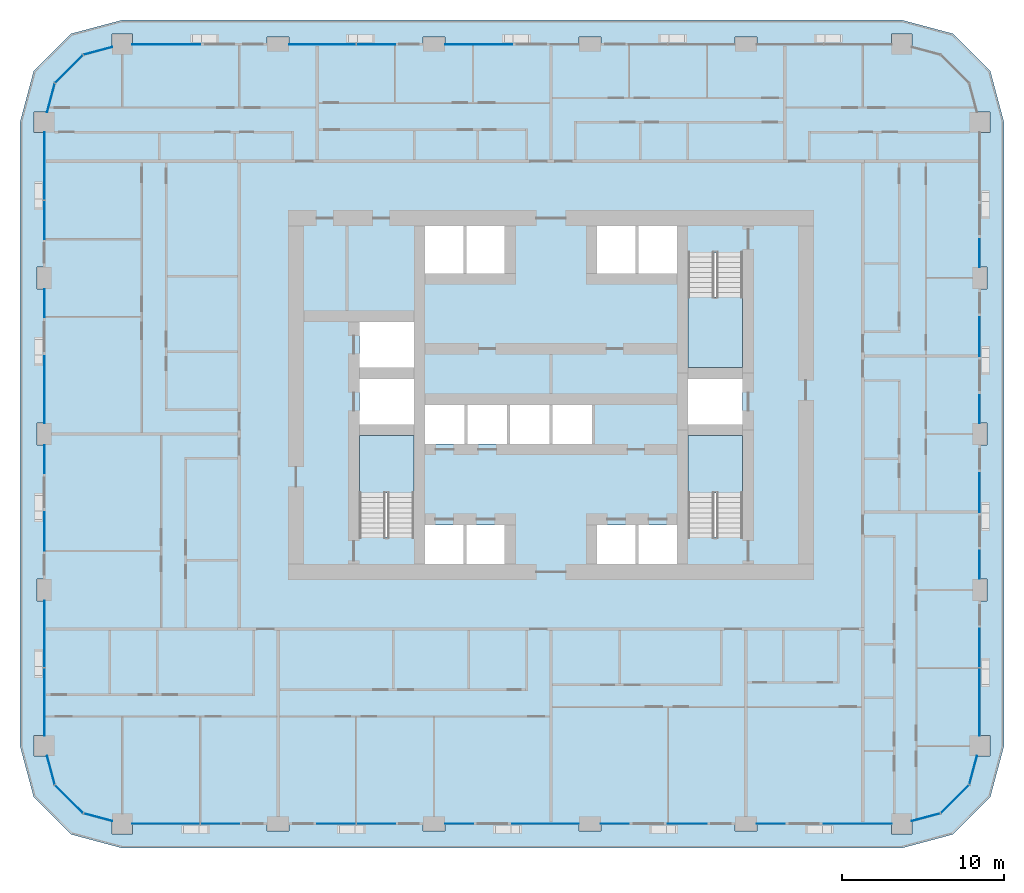
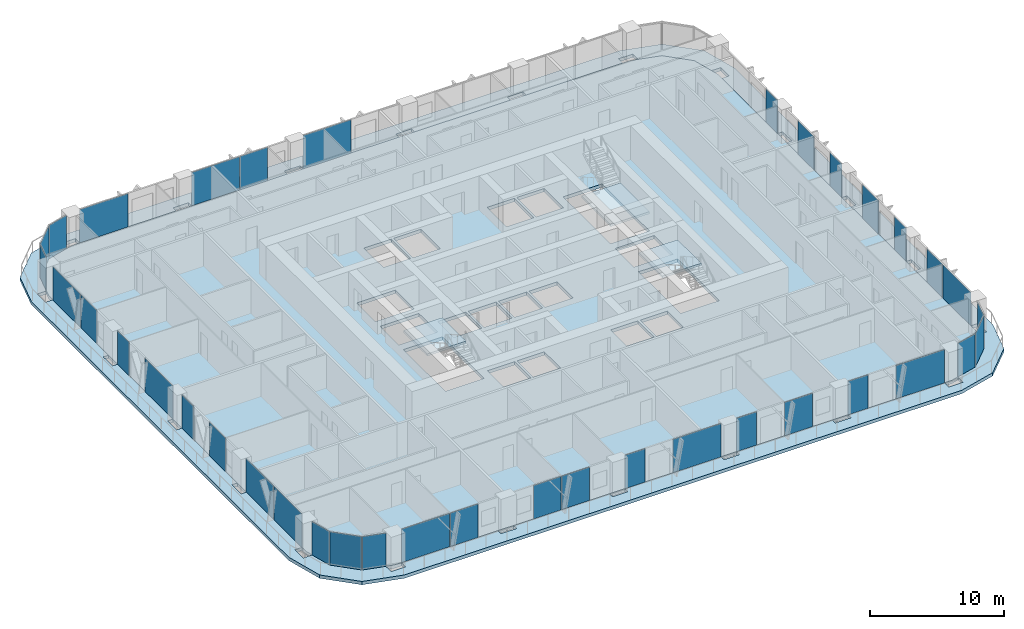
# One storey, part 7 of 21: 38 plates, 5 slabs, 22 elements without a shape of their own.
"""IFC4 building model written with IfcOpenShell, lengths in metres."""

from ifc_helpers import new_model, si_unit, direction, frame, origin, origin_2d, place, context, subcontext, project, spatial, polyline, rectangle, outline, extrude, material, layer, layer_set, type_object, element, aggregate, save


model = new_model("IFC4")

# Units and contexts
model_context = context("Model", 3, precision=1e-05, world=origin(), true_north=direction((0.0, 1.0)))
body_context = subcontext(model_context, "Body", "Model", "MODEL_VIEW")
ifc_project = project(units=[si_unit("LENGTHUNIT", "METRE"), si_unit("AREAUNIT", "SQUARE_METRE"), si_unit("VOLUMEUNIT", "CUBIC_METRE"), si_unit("PLANEANGLEUNIT", "RADIAN"), si_unit("MASSUNIT", "GRAM", prefix="KILO")], contexts=[model_context])

# Site, building, storey
site_placement = place(None, origin())
site = spatial("IfcSite", under=ifc_project, at=site_placement, CompositionType="ELEMENT")
building_placement = place(site_placement, origin())
building = spatial("IfcBuilding", under=site, at=building_placement, Name="Madar Terraces", CompositionType="ELEMENT")
storey_placement = place(building_placement, frame((0.0, 0.0, 50.39990234375)))
storey = spatial("IfcBuildingStorey", under=building, at=storey_placement, Name="L12", CompositionType="ELEMENT", Elevation=50.39990234375)

# Slabs
ifc_material_1 = material(Name="Concrete C50/60", Category="concrete")
ifc_layer_1 = layer(ifc_material_1, 0.300048828125)
ifc_layer_set_1 = layer_set([ifc_layer_1], Name="Balcony band 300")
slab_type_1 = type_object("IfcSlabType", Name="Balcony band 300", PredefinedType="FLOOR", material=ifc_layer_set_1)
slab_1_placement = place(storey_placement, frame((0.0, 0.0, -0.2998046875)))
element("IfcSlab", 1, at=slab_1_placement, inside=storey, type_object=slab_type_1, Name="Balcony band", PredefinedType="FLOOR", context=body_context, shape_type="SweptSolid", body=[
    extrude(outline(polyline([(4.800048828125, -1.5), (1.64990234375, -0.656005859375), (-0.656005859375, 1.64990234375), (-1.5, 4.800048828125), (-1.5, 43.199951171875), (-0.656005859375, 46.35009765625), (1.64990234375, 48.656005859375), (4.800048828125, 49.5), (52.800048828125, 49.5), (55.949951171875, 48.656005859375), (58.256103515625, 46.35009765625), (59.10009765625, 43.199951171875), (59.10009765625, 4.800048828125), (58.256103515625, 1.64990234375), (55.949951171875, -0.656005859375), (52.800048828125, -1.5), (4.800048828125, -1.5)]), holes=[polyline([(5.425048828125, -0.625), (5.425048828125, 0.0), (13.72509765625, 0.0), (13.72509765625, -0.449951171875), (15.074951171875, -0.449951171875), (15.074951171875, 0.0), (23.324951171875, 0.0), (23.324951171875, -0.449951171875), (24.675048828125, -0.449951171875), (24.675048828125, 0.0), (32.925048828125, 0.0), (32.925048828125, -0.449951171875), (34.27490234375, -0.449951171875), (34.27490234375, 0.0), (42.52490234375, 0.0), (42.52490234375, -0.449951171875), (43.875, -0.449951171875), (43.875, 0.0), (52.175048828125, 0.0), (52.175048828125, -0.625), (53.425048828125, -0.625), (53.425048828125, 0.16748046875), (55.199951171875, 0.64306640625), (56.956787109375, 2.39990234375), (57.4326171875, 4.175048828125), (58.22509765625, 4.175048828125), (58.22509765625, 5.425048828125), (57.60009765625, 5.425048828125), (57.60009765625, 13.72509765625), (58.050048828125, 13.72509765625), (58.050048828125, 15.074951171875), (57.60009765625, 15.074951171875), (57.60009765625, 23.324951171875), (58.050048828125, 23.324951171875), (58.050048828125, 24.675048828125), (57.60009765625, 24.675048828125), (57.60009765625, 32.925048828125), (58.050048828125, 32.925048828125), (58.050048828125, 34.27490234375), (57.60009765625, 34.27490234375), (57.60009765625, 42.574951171875), (58.22509765625, 42.574951171875), (58.22509765625, 43.824951171875), (57.4326171875, 43.824951171875), (56.956787109375, 45.60009765625), (55.199951171875, 47.35693359375), (53.425048828125, 47.83251953125), (53.425048828125, 48.625), (52.175048828125, 48.625), (52.175048828125, 48.0), (43.875, 48.0), (43.875, 48.449951171875), (42.52490234375, 48.449951171875), (42.52490234375, 48.0), (34.27490234375, 48.0), (34.27490234375, 48.449951171875), (32.925048828125, 48.449951171875), (32.925048828125, 48.0), (24.675048828125, 48.0), (24.675048828125, 48.449951171875), (23.324951171875, 48.449951171875), (23.324951171875, 48.0), (15.074951171875, 48.0), (15.074951171875, 48.449951171875), (13.72509765625, 48.449951171875), (13.72509765625, 48.0), (5.425048828125, 48.0), (5.425048828125, 48.625), (4.175048828125, 48.625), (4.175048828125, 47.83251953125), (2.39990234375, 47.35693359375), (0.64306640625, 45.60009765625), (0.16748046875, 43.824951171875), (-0.625, 43.824951171875), (-0.625, 42.574951171875), (0.0, 42.574951171875), (0.0, 34.27490234375), (-0.449951171875, 34.27490234375), (-0.449951171875, 32.925048828125), (0.0, 32.925048828125), (0.0, 24.675048828125), (-0.449951171875, 24.675048828125), (-0.449951171875, 23.324951171875), (0.0, 23.324951171875), (0.0, 15.074951171875), (-0.449951171875, 15.074951171875), (-0.449951171875, 13.72509765625), (0.0, 13.72509765625), (0.0, 5.425048828125), (-0.625, 5.425048828125), (-0.625, 4.175048828125), (0.16748046875, 4.175048828125), (0.64306640625, 2.39990234375), (2.39990234375, 0.64306640625), (4.175048828125, 0.16748046875), (4.175048828125, -0.625), (5.425048828125, -0.625)])]), origin(), (0.0, 0.0, 1.0), 0.2998046875),
])
ifc_material_2 = material(Name="Concrete C50/60", Category="concrete")
ifc_layer_2 = layer(ifc_material_2, 0.300048828125)
ifc_layer_set_2 = layer_set([ifc_layer_2], Name="FS2 PT flat slab 300")
slab_type_2 = type_object("IfcSlabType", Name="FS2 PT flat slab 300", PredefinedType="FLOOR", material=ifc_layer_set_2)
slab_2_placement = place(storey_placement, frame((0.0, 0.0, -0.2998046875)))
element("IfcSlab", 2, at=slab_2_placement, inside=storey, type_object=slab_type_2, Name="Floor slab L12 (1)", PredefinedType="FLOOR", context=body_context, shape_type="SweptSolid", body=[
    extrude(outline(polyline([(52.800048828125, 0.0), (55.199951171875, 0.64306640625), (56.95703125, 2.39990234375), (57.60009765625, 4.800048828125), (57.60009765625, 43.199951171875), (56.95703125, 45.60009765625), (55.199951171875, 47.35693359375), (52.800048828125, 48.0), (4.800048828125, 48.0), (2.39990234375, 47.35693359375), (0.64306640625, 45.60009765625), (0.0, 43.199951171875), (0.0, 4.800048828125), (0.64306640625, 2.39990234375), (2.39990234375, 0.64306640625), (4.800048828125, 0.0), (52.800048828125, 0.0)]), holes=[polyline([(23.449951171875, 16.0), (23.449951171875, 18.39990234375), (25.800048828125, 18.39990234375), (25.800048828125, 16.0), (23.449951171875, 16.0)]), polyline([(26.0, 16.0), (26.0, 18.39990234375), (28.35009765625, 18.39990234375), (28.35009765625, 16.0), (26.0, 16.0)]), polyline([(19.39990234375, 17.64990234375), (19.39990234375, 23.89990234375), (22.75, 23.89990234375), (22.75, 17.64990234375), (19.39990234375, 17.64990234375)]), polyline([(23.449951171875, 23.39990234375), (23.449951171875, 25.800048828125), (25.86669921875, 25.800048828125), (25.86669921875, 23.39990234375), (23.449951171875, 23.39990234375)]), polyline([(26.066650390625, 23.39990234375), (26.066650390625, 25.800048828125), (28.4833984375, 25.800048828125), (28.4833984375, 23.39990234375), (26.066650390625, 23.39990234375)]), polyline([(19.39990234375, 24.60009765625), (19.39990234375, 27.39990234375), (22.75, 27.39990234375), (22.75, 24.60009765625), (19.39990234375, 24.60009765625)]), polyline([(19.39990234375, 28.10009765625), (19.39990234375, 30.89990234375), (22.75, 30.89990234375), (22.75, 28.10009765625), (19.39990234375, 28.10009765625)]), polyline([(23.449951171875, 36.800048828125), (25.800048828125, 36.800048828125), (25.800048828125, 33.89990234375), (23.449951171875, 33.89990234375), (23.449951171875, 36.800048828125)]), polyline([(26.0, 36.800048828125), (28.35009765625, 36.800048828125), (28.35009765625, 33.89990234375), (26.0, 33.89990234375), (26.0, 36.800048828125)]), polyline([(34.050048828125, 16.0), (34.050048828125, 18.39990234375), (36.39990234375, 18.39990234375), (36.39990234375, 16.0), (34.050048828125, 16.0)]), polyline([(36.60009765625, 16.0), (36.60009765625, 18.39990234375), (38.949951171875, 18.39990234375), (38.949951171875, 16.0), (36.60009765625, 16.0)]), polyline([(39.64990234375, 17.64990234375), (39.64990234375, 23.89990234375), (43.0, 23.89990234375), (43.0, 17.64990234375), (39.64990234375, 17.64990234375)]), polyline([(28.683349609375, 23.39990234375), (28.683349609375, 25.800048828125), (31.10009765625, 25.800048828125), (31.10009765625, 23.39990234375), (28.683349609375, 23.39990234375)]), polyline([(31.300048828125, 23.39990234375), (31.300048828125, 25.800048828125), (33.716552734375, 25.800048828125), (33.716552734375, 23.39990234375), (31.300048828125, 23.39990234375)]), polyline([(39.64990234375, 24.60009765625), (39.64990234375, 27.39990234375), (43.0, 27.39990234375), (43.0, 24.60009765625), (39.64990234375, 24.60009765625)]), polyline([(39.64990234375, 28.10009765625), (39.64990234375, 35.14990234375), (43.0, 35.14990234375), (43.0, 28.10009765625), (39.64990234375, 28.10009765625)]), polyline([(34.050048828125, 36.800048828125), (36.39990234375, 36.800048828125), (36.39990234375, 33.89990234375), (34.050048828125, 33.89990234375), (34.050048828125, 36.800048828125)]), polyline([(36.60009765625, 36.800048828125), (38.949951171875, 36.800048828125), (38.949951171875, 33.89990234375), (36.60009765625, 33.89990234375), (36.60009765625, 36.800048828125)])]), origin(), (0.0, 0.0, 1.0), 0.2998046875),
])

# Curtain wall, plates
ifc_material_3 = material(Name="Glass, ceramic frit dark grey, with black aluminium frame", Category="aluminium")
ifc_layer_3 = layer(ifc_material_3, 0.199951171875)
ifc_layer_set_3 = layer_set([ifc_layer_3], Name="Facade curtain wall, fritted glass")
curtain_wall_type = type_object("IfcCurtainWallType", Name="Facade curtain wall, fritted glass", PredefinedType="NOTDEFINED", material=ifc_layer_set_3)
curtain_wall_1_placement = place(storey_placement, origin())
curtain_wall_1 = element("IfcCurtainWall", 3, at=curtain_wall_1_placement, inside=storey, type_object=curtain_wall_type, Name="Outer skin curtain wall south bay 1", PredefinedType="NOTDEFINED")
ifc_material_4 = material(Name="Glass, ceramic frit dark grey", Category="glass")
ifc_layer_4 = layer(ifc_material_4, 0.028076171875)
ifc_layer_set_4 = layer_set([ifc_layer_4], Name="Facade glass panel 28")
plate_type = type_object("IfcPlateType", Name="Facade glass panel 28", PredefinedType="CURTAIN_PANEL", material=ifc_layer_set_4)
plate_1_placement = place(storey_placement, frame((7.49755859375, 0.0, 0.0), z_axis=(0.0, 0.0, 1.0), x_axis=(1.0, 0.0, 0.0)))
plate_1 = element("IfcPlate", 4, at=plate_1_placement, type_object=plate_type, Name="Panel 1", PredefinedType="CURTAIN_PANEL", context=body_context, shape_type="SweptSolid", body=[
    extrude(rectangle(XDim=4.14501953125, YDim=0.028076171875, at=origin_2d()), origin(), (0.0, 0.0, 1.0), 3.0400390625),
])
plate_2_placement = place(storey_placement, frame((10.81494140625, 0.0, 0.0), z_axis=(0.0, 0.0, 1.0), x_axis=(1.0, 0.0, 0.0)))
plate_2 = element("IfcPlate", 5, at=plate_2_placement, type_object=plate_type, Name="Panel 2", PredefinedType="CURTAIN_PANEL", context=body_context, shape_type="SweptSolid", body=[
    extrude(rectangle(XDim=2.3701171875, YDim=0.028076171875, at=origin_2d()), origin(), (0.0, 0.0, 1.0), 3.0400390625),
])
aggregate(curtain_wall_1, [plate_1, plate_2])

curtain_wall_2_placement = place(storey_placement, origin())
curtain_wall_2 = element("IfcCurtainWall", 6, at=curtain_wall_2_placement, inside=storey, type_object=curtain_wall_type, Name="Outer skin curtain wall south bay 2", PredefinedType="NOTDEFINED")
plate_3_placement = place(storey_placement, frame((17.985107421875, 0.0, 0.0), z_axis=(0.0, 0.0, 1.0), x_axis=(1.0, 0.0, 0.0)))
plate_3 = element("IfcPlate", 7, at=plate_3_placement, type_object=plate_type, Name="Panel 1", PredefinedType="CURTAIN_PANEL", context=body_context, shape_type="SweptSolid", body=[
    extrude(rectangle(XDim=2.3701171875, YDim=0.028076171875, at=origin_2d()), origin(), (0.0, 0.0, 1.0), 3.0400390625),
])
plate_4_placement = place(storey_placement, frame((20.4150390625, 0.0, 0.0), z_axis=(0.0, 0.0, 1.0), x_axis=(1.0, 0.0, 0.0)))
plate_4 = element("IfcPlate", 8, at=plate_4_placement, type_object=plate_type, Name="Panel 2", PredefinedType="CURTAIN_PANEL", context=body_context, shape_type="SweptSolid", body=[
    extrude(rectangle(XDim=2.3701171875, YDim=0.028076171875, at=origin_2d()), origin(), (0.0, 0.0, 1.0), 3.0400390625),
])
aggregate(curtain_wall_2, [plate_3, plate_4])

curtain_wall_3_placement = place(storey_placement, origin())
curtain_wall_3 = element("IfcCurtainWall", 9, at=curtain_wall_3_placement, inside=storey, type_object=curtain_wall_type, Name="Outer skin curtain wall south bay 3", PredefinedType="NOTDEFINED")
plate_5_placement = place(storey_placement, frame((25.53759765625, 0.0, 0.0), z_axis=(0.0, 0.0, 1.0), x_axis=(1.0, 0.0, 0.0)))
plate_5 = element("IfcPlate", 10, at=plate_5_placement, type_object=plate_type, Name="Panel 1", PredefinedType="CURTAIN_PANEL", context=body_context, shape_type="SweptSolid", body=[
    extrude(rectangle(XDim=1.72509765625, YDim=0.028076171875, at=origin_2d()), origin(), (0.0, 0.0, 1.0), 3.0400390625),
])
plate_6_placement = place(storey_placement, frame((30.862548828125, 0.0, 0.0), z_axis=(0.0, 0.0, 1.0), x_axis=(1.0, 0.0, 0.0)))
plate_6 = element("IfcPlate", 11, at=plate_6_placement, type_object=plate_type, Name="Panel 2", PredefinedType="CURTAIN_PANEL", context=body_context, shape_type="SweptSolid", body=[
    extrude(rectangle(XDim=4.125, YDim=0.028076171875, at=origin_2d()), origin(), (0.0, 0.0, 1.0), 3.0400390625),
])
aggregate(curtain_wall_3, [plate_5, plate_6])

curtain_wall_4_placement = place(storey_placement, origin())
curtain_wall_4 = element("IfcCurtainWall", 12, at=curtain_wall_4_placement, inside=storey, type_object=curtain_wall_type, Name="Outer skin curtain wall south bay 4", PredefinedType="NOTDEFINED")
plate_7_placement = place(storey_placement, frame((35.137451171875, 0.0, 0.0), z_axis=(0.0, 0.0, 1.0), x_axis=(1.0, 0.0, 0.0)))
plate_7 = element("IfcPlate", 13, at=plate_7_placement, type_object=plate_type, Name="Panel 1", PredefinedType="CURTAIN_PANEL", context=body_context, shape_type="SweptSolid", body=[
    extrude(rectangle(XDim=1.72509765625, YDim=0.028076171875, at=origin_2d()), origin(), (0.0, 0.0, 1.0), 3.0400390625),
])
plate_8_placement = place(storey_placement, frame((39.60009765625, 0.0, 0.0), z_axis=(0.0, 0.0, 1.0), x_axis=(1.0, 0.0, 0.0)))
plate_8 = element("IfcPlate", 14, at=plate_8_placement, type_object=plate_type, Name="Panel 2", PredefinedType="CURTAIN_PANEL", context=body_context, shape_type="SweptSolid", body=[
    extrude(rectangle(XDim=2.39990234375, YDim=0.028076171875, at=origin_2d()), origin(), (0.0, 0.0, 1.0), 3.0400390625),
])
aggregate(curtain_wall_4, [plate_7, plate_8])

curtain_wall_5_placement = place(storey_placement, origin())
curtain_wall_5 = element("IfcCurtainWall", 15, at=curtain_wall_5_placement, inside=storey, type_object=curtain_wall_type, Name="Outer skin curtain wall south bay 5", PredefinedType="NOTDEFINED")
plate_9_placement = place(storey_placement, frame((44.737548828125, 0.0, 0.0), z_axis=(0.0, 0.0, 1.0), x_axis=(1.0, 0.0, 0.0)))
plate_9 = element("IfcPlate", 16, at=plate_9_placement, type_object=plate_type, Name="Panel 1", PredefinedType="CURTAIN_PANEL", context=body_context, shape_type="SweptSolid", body=[
    extrude(rectangle(XDim=1.72509765625, YDim=0.028076171875, at=origin_2d()), origin(), (0.0, 0.0, 1.0), 3.0400390625),
])
plate_10_placement = place(storey_placement, frame((50.08740234375, 0.0, 0.0), z_axis=(0.0, 0.0, 1.0), x_axis=(1.0, 0.0, 0.0)))
plate_10 = element("IfcPlate", 17, at=plate_10_placement, type_object=plate_type, Name="Panel 2", PredefinedType="CURTAIN_PANEL", context=body_context, shape_type="SweptSolid", body=[
    extrude(rectangle(XDim=4.175048828125, YDim=0.028076171875, at=origin_2d()), origin(), (0.0, 0.0, 1.0), 3.0400390625),
])
aggregate(curtain_wall_5, [plate_9, plate_10])

curtain_wall_6_placement = place(storey_placement, origin())
curtain_wall_6 = element("IfcCurtainWall", 18, at=curtain_wall_6_placement, inside=storey, type_object=curtain_wall_type, Name="Outer skin curtain wall east bay 1", PredefinedType="NOTDEFINED")
plate_11_placement = place(storey_placement, frame((57.60009765625, 7.49755859375, 0.0), z_axis=(0.0, 0.0, 1.0), x_axis=(0.0, 1.0, 0.0)))
plate_11 = element("IfcPlate", 19, at=plate_11_placement, type_object=plate_type, Name="Panel 1", PredefinedType="CURTAIN_PANEL", context=body_context, shape_type="SweptSolid", body=[
    extrude(rectangle(XDim=4.14501953125, YDim=0.028076171875, at=origin_2d()), origin(), (0.0, 0.0, 1.0), 3.0400390625),
])
plate_12_placement = place(storey_placement, frame((57.60009765625, 10.81494140625, 0.0), z_axis=(0.0, 0.0, 1.0), x_axis=(0.0, 1.0, 0.0)))
plate_12 = element("IfcPlate", 20, at=plate_12_placement, type_object=plate_type, Name="Panel 2", PredefinedType="CURTAIN_PANEL", context=body_context, shape_type="SweptSolid", body=[
    extrude(rectangle(XDim=2.3701171875, YDim=0.028076171875, at=origin_2d()), origin(), (0.0, 0.0, 1.0), 3.0400390625),
])
aggregate(curtain_wall_6, [plate_11, plate_12])

curtain_wall_7_placement = place(storey_placement, origin())
curtain_wall_7 = element("IfcCurtainWall", 21, at=curtain_wall_7_placement, inside=storey, type_object=curtain_wall_type, Name="Outer skin curtain wall east bay 2", PredefinedType="NOTDEFINED")
plate_13_placement = place(storey_placement, frame((57.60009765625, 15.9375, 0.0), z_axis=(0.0, 0.0, 1.0), x_axis=(0.0, 1.0, 0.0)))
plate_13 = element("IfcPlate", 22, at=plate_13_placement, type_object=plate_type, Name="Panel 1", PredefinedType="CURTAIN_PANEL", context=body_context, shape_type="SweptSolid", body=[
    extrude(rectangle(XDim=1.72509765625, YDim=0.028076171875, at=origin_2d()), origin(), (0.0, 0.0, 1.0), 3.0400390625),
])
plate_14_placement = place(storey_placement, frame((57.60009765625, 20.39990234375, 0.0), z_axis=(0.0, 0.0, 1.0), x_axis=(0.0, 1.0, 0.0)))
plate_14 = element("IfcPlate", 23, at=plate_14_placement, type_object=plate_type, Name="Panel 2", PredefinedType="CURTAIN_PANEL", context=body_context, shape_type="SweptSolid", body=[
    extrude(rectangle(XDim=2.39990234375, YDim=0.028076171875, at=origin_2d()), origin(), (0.0, 0.0, 1.0), 3.0400390625),
])
aggregate(curtain_wall_7, [plate_13, plate_14])

curtain_wall_8_placement = place(storey_placement, origin())
curtain_wall_8 = element("IfcCurtainWall", 24, at=curtain_wall_8_placement, inside=storey, type_object=curtain_wall_type, Name="Outer skin curtain wall east bay 3", PredefinedType="NOTDEFINED")
plate_15_placement = place(storey_placement, frame((57.60009765625, 25.53759765625, 0.0), z_axis=(0.0, 0.0, 1.0), x_axis=(0.0, 1.0, 0.0)))
plate_15 = element("IfcPlate", 25, at=plate_15_placement, type_object=plate_type, Name="Panel 1", PredefinedType="CURTAIN_PANEL", context=body_context, shape_type="SweptSolid", body=[
    extrude(rectangle(XDim=1.72509765625, YDim=0.028076171875, at=origin_2d()), origin(), (0.0, 0.0, 1.0), 3.0400390625),
])
plate_16_placement = place(storey_placement, frame((57.60009765625, 30.0, 0.0), z_axis=(0.0, 0.0, 1.0), x_axis=(0.0, 1.0, 0.0)))
plate_16 = element("IfcPlate", 26, at=plate_16_placement, type_object=plate_type, Name="Panel 2", PredefinedType="CURTAIN_PANEL", context=body_context, shape_type="SweptSolid", body=[
    extrude(rectangle(XDim=2.39990234375, YDim=0.028076171875, at=origin_2d()), origin(), (0.0, 0.0, 1.0), 3.0400390625),
])
aggregate(curtain_wall_8, [plate_15, plate_16])

# Curtain wall, plate
curtain_wall_9_placement = place(storey_placement, origin())
curtain_wall_9 = element("IfcCurtainWall", 27, at=curtain_wall_9_placement, inside=storey, type_object=curtain_wall_type, Name="Outer skin curtain wall east bay 4", PredefinedType="NOTDEFINED")
plate_17_placement = place(storey_placement, frame((57.60009765625, 35.137451171875, 0.0), z_axis=(0.0, 0.0, 1.0), x_axis=(0.0, 1.0, 0.0)))
plate_17 = element("IfcPlate", 28, at=plate_17_placement, type_object=plate_type, Name="Panel 1", PredefinedType="CURTAIN_PANEL", context=body_context, shape_type="SweptSolid", body=[
    extrude(rectangle(XDim=1.72509765625, YDim=0.028076171875, at=origin_2d()), origin(), (0.0, 0.0, 1.0), 3.0400390625),
])
aggregate(curtain_wall_9, [plate_17])

curtain_wall_10_placement = place(storey_placement, origin())
curtain_wall_10 = element("IfcCurtainWall", 29, at=curtain_wall_10_placement, inside=storey, type_object=curtain_wall_type, Name="Outer skin curtain wall north bay 3", PredefinedType="NOTDEFINED")
plate_18_placement = place(storey_placement, frame((26.737548828125, 48.0, 0.0), z_axis=(0.0, 0.0, 1.0), x_axis=(-1.0, 0.0, 0.0)))
plate_18 = element("IfcPlate", 30, at=plate_18_placement, type_object=plate_type, Name="Panel 2", PredefinedType="CURTAIN_PANEL", context=body_context, shape_type="SweptSolid", body=[
    extrude(rectangle(XDim=4.125, YDim=0.028076171875, at=origin_2d()), origin(), (0.0, 0.0, 1.0), 3.0400390625),
])
aggregate(curtain_wall_10, [plate_18])

# Curtain wall, plates
curtain_wall_11_placement = place(storey_placement, origin())
curtain_wall_11 = element("IfcCurtainWall", 31, at=curtain_wall_11_placement, inside=storey, type_object=curtain_wall_type, Name="Outer skin curtain wall north bay 4", PredefinedType="NOTDEFINED")
plate_19_placement = place(storey_placement, frame((20.4150390625, 48.0, 0.0), z_axis=(0.0, 0.0, 1.0), x_axis=(-1.0, 0.0, 0.0)))
plate_19 = element("IfcPlate", 32, at=plate_19_placement, type_object=plate_type, Name="Panel 1", PredefinedType="CURTAIN_PANEL", context=body_context, shape_type="SweptSolid", body=[
    extrude(rectangle(XDim=2.3701171875, YDim=0.028076171875, at=origin_2d()), origin(), (0.0, 0.0, 1.0), 3.0400390625),
])
plate_20_placement = place(storey_placement, frame((17.12255859375, 48.0, 0.0), z_axis=(0.0, 0.0, 1.0), x_axis=(-1.0, 0.0, 0.0)))
plate_20 = element("IfcPlate", 33, at=plate_20_placement, type_object=plate_type, Name="Panel 2", PredefinedType="CURTAIN_PANEL", context=body_context, shape_type="SweptSolid", body=[
    extrude(rectangle(XDim=4.094970703125, YDim=0.028076171875, at=origin_2d()), origin(), (0.0, 0.0, 1.0), 3.0400390625),
])
aggregate(curtain_wall_11, [plate_19, plate_20])

# Curtain wall, plate
curtain_wall_12_placement = place(storey_placement, origin())
curtain_wall_12 = element("IfcCurtainWall", 34, at=curtain_wall_12_placement, inside=storey, type_object=curtain_wall_type, Name="Outer skin curtain wall north bay 5", PredefinedType="NOTDEFINED")
plate_21_placement = place(storey_placement, frame((7.512451171875, 48.0, 0.0), z_axis=(0.0, 0.0, 1.0), x_axis=(-1.0, 0.0, 0.0)))
plate_21 = element("IfcPlate", 35, at=plate_21_placement, type_object=plate_type, Name="Panel 1", PredefinedType="CURTAIN_PANEL", context=body_context, shape_type="SweptSolid", body=[
    extrude(rectangle(XDim=4.175048828125, YDim=0.028076171875, at=origin_2d()), origin(), (0.0, 0.0, 1.0), 3.0400390625),
])
aggregate(curtain_wall_12, [plate_21])

# Curtain wall, plates
curtain_wall_13_placement = place(storey_placement, origin())
curtain_wall_13 = element("IfcCurtainWall", 36, at=curtain_wall_13_placement, inside=storey, type_object=curtain_wall_type, Name="Outer skin curtain wall west bay 1", PredefinedType="NOTDEFINED")
plate_22_placement = place(storey_placement, frame((0.0, 40.50244140625, 0.0), z_axis=(0.0, 0.0, 1.0), x_axis=(0.0, -1.0, 0.0)))
plate_22 = element("IfcPlate", 37, at=plate_22_placement, type_object=plate_type, Name="Panel 1", PredefinedType="CURTAIN_PANEL", context=body_context, shape_type="SweptSolid", body=[
    extrude(rectangle(XDim=4.14501953125, YDim=0.028076171875, at=origin_2d()), origin(), (0.0, 0.0, 1.0), 3.0400390625),
])
plate_23_placement = place(storey_placement, frame((0.0, 37.18505859375, 0.0), z_axis=(0.0, 0.0, 1.0), x_axis=(0.0, -1.0, 0.0)))
plate_23 = element("IfcPlate", 38, at=plate_23_placement, type_object=plate_type, Name="Panel 2", PredefinedType="CURTAIN_PANEL", context=body_context, shape_type="SweptSolid", body=[
    extrude(rectangle(XDim=2.3701171875, YDim=0.028076171875, at=origin_2d()), origin(), (0.0, 0.0, 1.0), 3.0400390625),
])
aggregate(curtain_wall_13, [plate_22, plate_23])

curtain_wall_14_placement = place(storey_placement, origin())
curtain_wall_14 = element("IfcCurtainWall", 39, at=curtain_wall_14_placement, inside=storey, type_object=curtain_wall_type, Name="Outer skin curtain wall west bay 2", PredefinedType="NOTDEFINED")
plate_24_placement = place(storey_placement, frame((0.0, 32.0625, 0.0), z_axis=(0.0, 0.0, 1.0), x_axis=(0.0, -1.0, 0.0)))
plate_24 = element("IfcPlate", 40, at=plate_24_placement, type_object=plate_type, Name="Panel 1", PredefinedType="CURTAIN_PANEL", context=body_context, shape_type="SweptSolid", body=[
    extrude(rectangle(XDim=1.72509765625, YDim=0.028076171875, at=origin_2d()), origin(), (0.0, 0.0, 1.0), 3.0400390625),
])
plate_25_placement = place(storey_placement, frame((0.0, 26.737548828125, 0.0), z_axis=(0.0, 0.0, 1.0), x_axis=(0.0, -1.0, 0.0)))
plate_25 = element("IfcPlate", 41, at=plate_25_placement, type_object=plate_type, Name="Panel 2", PredefinedType="CURTAIN_PANEL", context=body_context, shape_type="SweptSolid", body=[
    extrude(rectangle(XDim=4.125, YDim=0.028076171875, at=origin_2d()), origin(), (0.0, 0.0, 1.0), 3.0400390625),
])
aggregate(curtain_wall_14, [plate_24, plate_25])

curtain_wall_15_placement = place(storey_placement, origin())
curtain_wall_15 = element("IfcCurtainWall", 42, at=curtain_wall_15_placement, inside=storey, type_object=curtain_wall_type, Name="Outer skin curtain wall west bay 3", PredefinedType="NOTDEFINED")
plate_26_placement = place(storey_placement, frame((0.0, 22.46240234375, 0.0), z_axis=(0.0, 0.0, 1.0), x_axis=(0.0, -1.0, 0.0)))
plate_26 = element("IfcPlate", 43, at=plate_26_placement, type_object=plate_type, Name="Panel 1", PredefinedType="CURTAIN_PANEL", context=body_context, shape_type="SweptSolid", body=[
    extrude(rectangle(XDim=1.72509765625, YDim=0.028076171875, at=origin_2d()), origin(), (0.0, 0.0, 1.0), 3.0400390625),
])
plate_27_placement = place(storey_placement, frame((0.0, 18.0, 0.0), z_axis=(0.0, 0.0, 1.0), x_axis=(0.0, -1.0, 0.0)))
plate_27 = element("IfcPlate", 44, at=plate_27_placement, type_object=plate_type, Name="Panel 2", PredefinedType="CURTAIN_PANEL", context=body_context, shape_type="SweptSolid", body=[
    extrude(rectangle(XDim=2.39990234375, YDim=0.028076171875, at=origin_2d()), origin(), (0.0, 0.0, 1.0), 3.0400390625),
])
aggregate(curtain_wall_15, [plate_26, plate_27])

curtain_wall_16_placement = place(storey_placement, origin())
curtain_wall_16 = element("IfcCurtainWall", 45, at=curtain_wall_16_placement, inside=storey, type_object=curtain_wall_type, Name="Outer skin curtain wall west bay 4", PredefinedType="NOTDEFINED")
plate_28_placement = place(storey_placement, frame((0.0, 11.677490234375, 0.0), z_axis=(0.0, 0.0, 1.0), x_axis=(0.0, -1.0, 0.0)))
plate_28 = element("IfcPlate", 46, at=plate_28_placement, type_object=plate_type, Name="Panel 1", PredefinedType="CURTAIN_PANEL", context=body_context, shape_type="SweptSolid", body=[
    extrude(rectangle(XDim=4.094970703125, YDim=0.028076171875, at=origin_2d()), origin(), (0.0, 0.0, 1.0), 3.0400390625),
])
plate_29_placement = place(storey_placement, frame((0.0, 7.49755859375, 0.0), z_axis=(0.0, 0.0, 1.0), x_axis=(0.0, -1.0, 0.0)))
plate_29 = element("IfcPlate", 47, at=plate_29_placement, type_object=plate_type, Name="Panel 2", PredefinedType="CURTAIN_PANEL", context=body_context, shape_type="SweptSolid", body=[
    extrude(rectangle(XDim=4.14501953125, YDim=0.028076171875, at=origin_2d()), origin(), (0.0, 0.0, 1.0), 3.0400390625),
])
aggregate(curtain_wall_16, [plate_28, plate_29])

curtain_wall_17_placement = place(storey_placement, origin())
curtain_wall_17 = element("IfcCurtainWall", 48, at=curtain_wall_17_placement, inside=storey, type_object=curtain_wall_type, Name="Outer skin curtain wall south-east corner", PredefinedType="NOTDEFINED")
plate_30_placement = place(storey_placement, frame((54.298095703125, 0.4013671875, 0.0), z_axis=(0.0, 0.0, 1.0), x_axis=(0.965925832509, 0.258819021888, 0.0)))
plate_30 = element("IfcPlate", 49, at=plate_30_placement, type_object=plate_type, Name="Panel 1", PredefinedType="CURTAIN_PANEL", context=body_context, shape_type="SweptSolid", body=[
    extrude(rectangle(XDim=1.8076171875, YDim=0.028076171875, at=origin_2d()), origin(), (0.0, 0.0, 1.0), 3.0400390625),
])
plate_31_placement = place(storey_placement, frame((56.078369140625, 1.521484375, 0.0), z_axis=(0.0, 0.0, 1.0), x_axis=(0.707106781187, 0.707106781187, 0.0)))
plate_31 = element("IfcPlate", 50, at=plate_31_placement, type_object=plate_type, Name="Panel 2", PredefinedType="CURTAIN_PANEL", context=body_context, shape_type="SweptSolid", body=[
    extrude(rectangle(XDim=2.424560546875, YDim=0.028076171875, at=origin_2d()), origin(), (0.0, 0.0, 1.0), 3.0400390625),
])
plate_32_placement = place(storey_placement, frame((57.19873046875, 3.302001953125, 0.0), z_axis=(0.0, 0.0, 1.0), x_axis=(0.258819021888, 0.965925832509, 0.0)))
plate_32 = element("IfcPlate", 51, at=plate_32_placement, type_object=plate_type, Name="Panel 3", PredefinedType="CURTAIN_PANEL", context=body_context, shape_type="SweptSolid", body=[
    extrude(rectangle(XDim=1.8076171875, YDim=0.028076171875, at=origin_2d()), origin(), (0.0, 0.0, 1.0), 3.0400390625),
])
aggregate(curtain_wall_17, [plate_30, plate_31, plate_32])

curtain_wall_18_placement = place(storey_placement, origin())
curtain_wall_18 = element("IfcCurtainWall", 52, at=curtain_wall_18_placement, inside=storey, type_object=curtain_wall_type, Name="Outer skin curtain wall north-west corner", PredefinedType="NOTDEFINED")
plate_33_placement = place(storey_placement, frame((3.302001953125, 47.5986328125, 0.0), z_axis=(0.0, 0.0, 1.0), x_axis=(-0.965925832509, -0.258819021888, 0.0)))
plate_33 = element("IfcPlate", 53, at=plate_33_placement, type_object=plate_type, Name="Panel 1", PredefinedType="CURTAIN_PANEL", context=body_context, shape_type="SweptSolid", body=[
    extrude(rectangle(XDim=1.8076171875, YDim=0.028076171875, at=origin_2d()), origin(), (0.0, 0.0, 1.0), 3.0400390625),
])
plate_34_placement = place(storey_placement, frame((1.521484375, 46.478515625, 0.0), z_axis=(0.0, 0.0, 1.0), x_axis=(-0.707106781187, -0.707106781187, 0.0)))
plate_34 = element("IfcPlate", 54, at=plate_34_placement, type_object=plate_type, Name="Panel 2", PredefinedType="CURTAIN_PANEL", context=body_context, shape_type="SweptSolid", body=[
    extrude(rectangle(XDim=2.424560546875, YDim=0.028076171875, at=origin_2d()), origin(), (0.0, 0.0, 1.0), 3.0400390625),
])
plate_35_placement = place(storey_placement, frame((0.4013671875, 44.697998046875, 0.0), z_axis=(0.0, 0.0, 1.0), x_axis=(-0.258819021888, -0.965925832509, 0.0)))
plate_35 = element("IfcPlate", 55, at=plate_35_placement, type_object=plate_type, Name="Panel 3", PredefinedType="CURTAIN_PANEL", context=body_context, shape_type="SweptSolid", body=[
    extrude(rectangle(XDim=1.8076171875, YDim=0.028076171875, at=origin_2d()), origin(), (0.0, 0.0, 1.0), 3.0400390625),
])
aggregate(curtain_wall_18, [plate_33, plate_34, plate_35])

curtain_wall_19_placement = place(storey_placement, origin())
curtain_wall_19 = element("IfcCurtainWall", 56, at=curtain_wall_19_placement, inside=storey, type_object=curtain_wall_type, Name="Outer skin curtain wall south-west corner", PredefinedType="NOTDEFINED")
plate_36_placement = place(storey_placement, frame((0.4013671875, 3.302001953125, 0.0), z_axis=(0.0, 0.0, 1.0), x_axis=(0.258819021888, -0.965925832509, 0.0)))
plate_36 = element("IfcPlate", 57, at=plate_36_placement, type_object=plate_type, Name="Panel 1", PredefinedType="CURTAIN_PANEL", context=body_context, shape_type="SweptSolid", body=[
    extrude(rectangle(XDim=1.8076171875, YDim=0.028076171875, at=origin_2d()), origin(), (0.0, 0.0, 1.0), 3.0400390625),
])
plate_37_placement = place(storey_placement, frame((1.521484375, 1.521484375, 0.0), z_axis=(0.0, 0.0, 1.0), x_axis=(0.707106781187, -0.707106781187, 0.0)))
plate_37 = element("IfcPlate", 58, at=plate_37_placement, type_object=plate_type, Name="Panel 2", PredefinedType="CURTAIN_PANEL", context=body_context, shape_type="SweptSolid", body=[
    extrude(rectangle(XDim=2.424560546875, YDim=0.028076171875, at=origin_2d()), origin(), (0.0, 0.0, 1.0), 3.0400390625),
])
plate_38_placement = place(storey_placement, frame((3.302001953125, 0.4013671875, 0.0), z_axis=(0.0, 0.0, 1.0), x_axis=(0.965925832509, -0.258819021888, 0.0)))
plate_38 = element("IfcPlate", 59, at=plate_38_placement, type_object=plate_type, Name="Panel 3", PredefinedType="CURTAIN_PANEL", context=body_context, shape_type="SweptSolid", body=[
    extrude(rectangle(XDim=1.8076171875, YDim=0.028076171875, at=origin_2d()), origin(), (0.0, 0.0, 1.0), 3.0400390625),
])
aggregate(curtain_wall_19, [plate_36, plate_37, plate_38])

# Stair, slab
ifc_material_5 = material(Name="Concrete C50/60", Category="concrete")
stair_type_1 = type_object("IfcStairType", Name="Stair ST1 protected exit", PredefinedType="HALF_TURN_STAIR", material=ifc_material_5)
stair_1_placement = place(storey_placement, origin())
stair_1 = element("IfcStair", 60, at=stair_1_placement, inside=storey, type_object=stair_type_1, Name="L12 Protected Exit Stair ST1", PredefinedType="HALF_TURN_STAIR")
ifc_material_6 = material(Name="Concrete C50/60", Category="concrete")
ifc_layer_5 = layer(ifc_material_6, 0.199951171875)
ifc_layer_set_5 = layer_set([ifc_layer_5], Name="Stair landing 200, top +1.75")
slab_type_3 = type_object("IfcSlabType", Name="Stair landing 200, top +1.75", PredefinedType="LANDING", material=ifc_layer_set_5)
slab_3_placement = place(storey_placement, frame((0.0, 0.0, 1.550048828125)))
slab_3 = element("IfcSlab", 61, at=slab_3_placement, type_object=slab_type_3, Name="ST1 landing 1", PredefinedType="LANDING", context=body_context, shape_type="SweptSolid", body=[
    extrude(outline(polyline([(19.39990234375, 20.360107421875), (22.75, 20.360107421875), (22.75, 23.89990234375), (19.39990234375, 23.89990234375), (19.39990234375, 20.360107421875)])), origin(), (0.0, 0.0, 1.0), 0.199951171875),
])
aggregate(stair_1, [slab_3])

ifc_material_7 = material(Name="Concrete C50/60", Category="concrete")
stair_type_2 = type_object("IfcStairType", Name="Stair ST2 protected exit", PredefinedType="HALF_TURN_STAIR", material=ifc_material_7)
stair_2_placement = place(storey_placement, origin())
stair_2 = element("IfcStair", 62, at=stair_2_placement, inside=storey, type_object=stair_type_2, Name="L12 Protected Exit Stair ST2", PredefinedType="HALF_TURN_STAIR")
slab_4_placement = place(storey_placement, frame((0.0, 0.0, 1.550048828125)))
slab_4 = element("IfcSlab", 63, at=slab_4_placement, type_object=slab_type_3, Name="ST2 landing 1", PredefinedType="LANDING", context=body_context, shape_type="SweptSolid", body=[
    extrude(outline(polyline([(39.64990234375, 28.10009765625), (43.0, 28.10009765625), (43.0, 32.43994140625), (39.64990234375, 32.43994140625), (39.64990234375, 28.10009765625)])), origin(), (0.0, 0.0, 1.0), 0.199951171875),
])
aggregate(stair_2, [slab_4])

ifc_material_8 = material(Name="Concrete C50/60", Category="concrete")
stair_type_3 = type_object("IfcStairType", Name="Stair ST3 protected exit", PredefinedType="HALF_TURN_STAIR", material=ifc_material_8)
stair_3_placement = place(storey_placement, origin())
stair_3 = element("IfcStair", 64, at=stair_3_placement, inside=storey, type_object=stair_type_3, Name="L12 Protected Exit Stair ST3", PredefinedType="HALF_TURN_STAIR")
slab_5_placement = place(storey_placement, frame((0.0, 0.0, 1.550048828125)))
slab_5 = element("IfcSlab", 65, at=slab_5_placement, type_object=slab_type_3, Name="ST3 landing 1", PredefinedType="LANDING", context=body_context, shape_type="SweptSolid", body=[
    extrude(outline(polyline([(39.64990234375, 20.360107421875), (43.0, 20.360107421875), (43.0, 23.89990234375), (39.64990234375, 23.89990234375), (39.64990234375, 20.360107421875)])), origin(), (0.0, 0.0, 1.0), 0.199951171875),
])
aggregate(stair_3, [slab_5])

save(model, "model.ifc")
